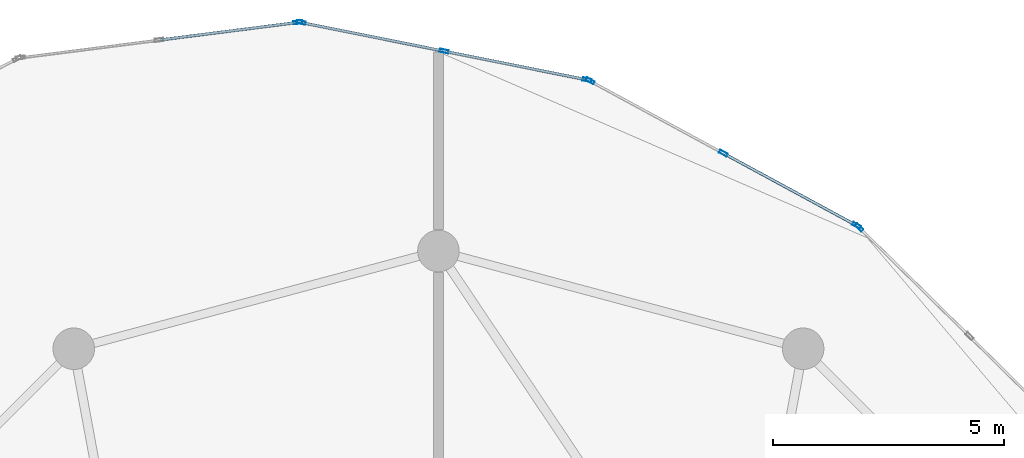
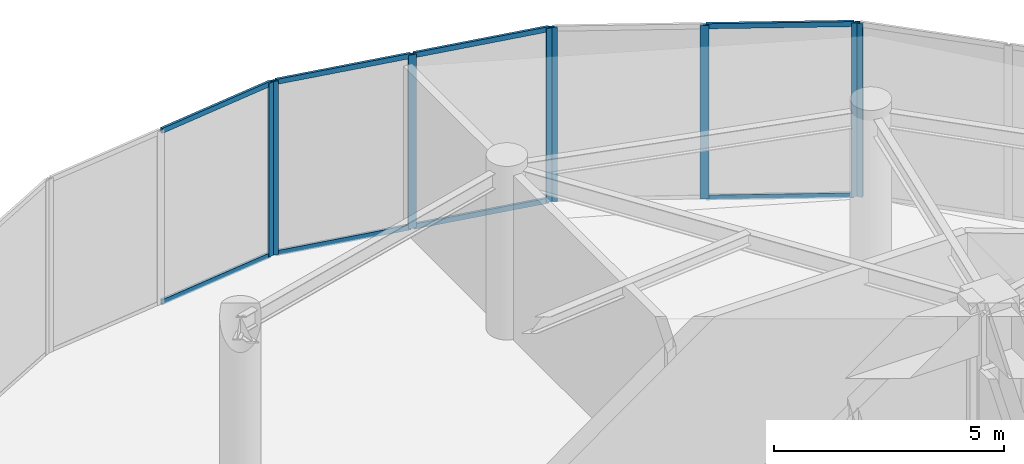
# One storey, part 16 of 23: 16 members, 4 elements without a shape of their own.
"""IFC4 building model written with IfcOpenShell, lengths in metres."""

import ifcopenshell
import ifcopenshell.guid

model = None  # the IFC model being written
_history = None  # IfcOwnerHistory: only IFC2X3 demands one
_inside = {}  # id of a spatial element -> (the spatial element, [elements in it])
_under = {}  # id of a project, library or spatial element -> (it, [spatial elements below it])
_declared = {}  # id of a project -> (the project, [libraries it declares])
_typed = {}  # id of a type object -> (the type object, [elements of that type])
_made_of = {}  # id of a material, layer set ... -> (it, [elements and type objects made of it])


def new_model(schema):
    """Start an empty IFC model of exactly this schema.

    Asked for "IFC4X3", IfcOpenShell would pick the latest addendum, in which some entities
    have other attributes; the version numbers below select the first issue.
    IFC2X3 requires an IfcOwnerHistory on every rooted entity: one is made here for all.
    """
    global model, _history
    if schema == "IFC4X3":
        model = ifcopenshell.file(schema_version=(4, 3, 0, 0))
    else:
        model = ifcopenshell.file(schema=schema)
    _inside.clear()
    _under.clear()
    _declared.clear()
    _typed.clear()
    _made_of.clear()
    _history = None
    if model.schema == "IFC2X3":
        org = make("IfcOrganization", Name="unknown")
        user = make(
            "IfcPersonAndOrganization",
            ThePerson=make("IfcPerson", FamilyName="unknown"),
            TheOrganization=org,
        )
        app = make(
            "IfcApplication",
            ApplicationDeveloper=org,
            Version="unknown",
            ApplicationFullName="unknown",
            ApplicationIdentifier="unknown",
        )
        _history = make(
            "IfcOwnerHistory",
            OwningUser=user,
            OwningApplication=app,
            ChangeAction="ADDED",
            CreationDate=0,
        )
    return model


def make(cls, **values):
    """One entity of the class cls with the attributes given. An attribute that is None is left unset."""
    return model.create_entity(
        cls, **{name: value for name, value in values.items() if value is not None}
    )


def rooted(cls, **values):
    """An entity with a GlobalId (a new one), such as an element, a storey or a relation."""
    return make(cls, GlobalId=ifcopenshell.guid.new(), OwnerHistory=_history, **values)


def si_unit(unit_type, name, prefix=None):
    """IfcSIUnit, for example si_unit("LENGTHUNIT", "METRE", prefix="MILLI")."""
    return make("IfcSIUnit", UnitType=unit_type, Prefix=prefix, Name=name)


def assignment(units):
    """IfcUnitAssignment: the units of a project."""
    return None if units is None else make("IfcUnitAssignment", Units=units)


def point(xyz):
    """IfcCartesianPoint."""
    return None if xyz is None else make("IfcCartesianPoint", Coordinates=xyz)


def direction(xyz):
    """IfcDirection."""
    return None if xyz is None else make("IfcDirection", DirectionRatios=xyz)


def frame(location, z_axis=None, x_axis=None):
    """IfcAxis2Placement3D, a coordinate frame: its origin and axes. An axis left out is left unset."""
    return make(
        "IfcAxis2Placement3D",
        Location=point(location),
        Axis=direction(z_axis),
        RefDirection=direction(x_axis),
    )


def frame_2d(location, x_axis=None):
    """IfcAxis2Placement2D, a coordinate frame in the plane: its origin and x axis."""
    return make(
        "IfcAxis2Placement2D", Location=point(location), RefDirection=direction(x_axis)
    )


def origin():
    """The frame at (0, 0, 0) with its axes left unset."""
    return frame((0.0, 0.0, 0.0))


def origin_2d():
    """The frame at (0, 0) in the plane with its x axis left unset."""
    return frame_2d((0.0, 0.0))


def place(relative_to, where):
    """IfcLocalPlacement: puts the frame where relative to a parent placement (None: the world)."""
    return make(
        "IfcLocalPlacement", PlacementRelTo=relative_to, RelativePlacement=where
    )


def context(
    kind, dimensions, precision=None, world=None, true_north=None, identifier=None
):
    """IfcGeometricRepresentationContext, for example the 3D "Model" context."""
    return make(
        "IfcGeometricRepresentationContext",
        ContextIdentifier=identifier,
        ContextType=kind,
        CoordinateSpaceDimension=dimensions,
        Precision=precision,
        WorldCoordinateSystem=world,
        TrueNorth=true_north,
    )


def subcontext(parent, identifier, kind, view, scale=None):
    """IfcGeometricRepresentationSubContext, for example "Body" below "Model"."""
    return make(
        "IfcGeometricRepresentationSubContext",
        ContextIdentifier=identifier,
        ContextType=kind,
        ParentContext=parent,
        TargetScale=scale,
        TargetView=view,
    )


def project(units=None, contexts=None):
    """IfcProject with its units and contexts."""
    return rooted(
        "IfcProject",
        Name="project",
        RepresentationContexts=contexts,
        UnitsInContext=assignment(units),
    )


def spatial(cls, under=None, at=None, **own):
    """A site, building, storey or space (cls), placed at a placement, below another one or the project."""
    s = rooted(cls, ObjectPlacement=at, **own)
    if under is not None:
        _under.setdefault(under.id(), (under, []))[1].append(s)
    return s


def profile(cls, at=None, kind="AREA", **sizes):
    """A parametric profile (cls). Its sizes go by their IFC names, for example OverallWidth=200.0."""
    return make(cls, ProfileType=kind, Position=at, **sizes)


def hollow_rectangle(**sizes):
    """IfcRectangleHollowProfileDef."""
    return profile("IfcRectangleHollowProfileDef", **sizes)


def extrude(swept, where, along, depth):
    """IfcExtrudedAreaSolid: the profile swept, set in the frame where, extruded along a direction by depth."""
    return make(
        "IfcExtrudedAreaSolid",
        SweptArea=swept,
        Position=where,
        ExtrudedDirection=direction(along),
        Depth=depth,
    )


def shape(context_of_items, identifier, shape_type, items):
    """IfcShapeRepresentation: the items that make up one representation, for example the "Body"."""
    return make(
        "IfcShapeRepresentation",
        ContextOfItems=context_of_items,
        RepresentationIdentifier=identifier,
        RepresentationType=shape_type,
        Items=items,
    )


def source(mapping_origin, context_of_items, identifier, shape_type, items):
    """IfcRepresentationMap: a shape defined once, which mapped items show again and again."""
    return make(
        "IfcRepresentationMap",
        MappingOrigin=mapping_origin,
        MappedRepresentation=shape(context_of_items, identifier, shape_type, items),
    )


def transform(
    local_origin,
    x_axis=None,
    y_axis=None,
    z_axis=None,
    scale=None,
    scale2=None,
    scale3=None,
    uniform=True,
):
    """IfcCartesianTransformationOperator3D, or its non-uniform kind. x_axis, y_axis, z_axis: its Axis1, 2, 3."""
    if uniform:
        return make(
            "IfcCartesianTransformationOperator3D",
            Axis1=direction(x_axis),
            Axis2=direction(y_axis),
            LocalOrigin=point(local_origin),
            Scale=scale,
            Axis3=direction(z_axis),
        )
    return make(
        "IfcCartesianTransformationOperator3DnonUniform",
        Axis1=direction(x_axis),
        Axis2=direction(y_axis),
        LocalOrigin=point(local_origin),
        Scale=scale,
        Axis3=direction(z_axis),
        Scale2=scale2,
        Scale3=scale3,
    )


def mapped(mapping_source, mapping_target):
    """IfcMappedItem: shows the shape of a source again, moved by a transform."""
    return make(
        "IfcMappedItem", MappingSource=mapping_source, MappingTarget=mapping_target
    )


def material(Name=None, Category=None):
    """IfcMaterial."""
    return make("IfcMaterial", Name=Name, Category=Category)


def layer(
    of_material, thickness, ventilated=None, Name=None, Category=None, Priority=None
):
    """IfcMaterialLayer: one layer of a wall or slab, of a material (None: an air gap)."""
    return make(
        "IfcMaterialLayer",
        Material=of_material,
        LayerThickness=thickness,
        IsVentilated=ventilated,
        Name=Name,
        Category=Category,
        Priority=Priority,
    )


def layer_set(layers, Name=None):
    """IfcMaterialLayerSet."""
    return make("IfcMaterialLayerSet", MaterialLayers=layers, LayerSetName=Name)


def material_profile(
    of_material, cross_section, Name=None, Category=None, Priority=None
):
    """IfcMaterialProfile: a cross section and its material."""
    return make(
        "IfcMaterialProfile",
        Name=Name,
        Material=of_material,
        Profile=cross_section,
        Priority=Priority,
        Category=Category,
    )


def profile_set(profiles, Name=None, composite=None):
    """IfcMaterialProfileSet."""
    return make(
        "IfcMaterialProfileSet",
        Name=Name,
        MaterialProfiles=profiles,
        CompositeProfile=composite,
    )


def made_of(thing, what):
    """Note that an element or type object is made of a material, layer set ...; save() writes the relation."""
    if what is not None:
        _made_of.setdefault(what.id(), (what, []))[1].append(thing)
    return thing


def type_object(cls, material=None, **own):
    """A type object (cls), such as IfcWallType, which elements share."""
    return made_of(rooted(cls, **own), material)


def element(
    cls,
    number,
    at=None,
    inside=None,
    cuts=None,
    type_object=None,
    material=None,
    context=None,
    identifier="Body",
    shape_type=None,
    held_by="IfcProductDefinitionShape",
    body=None,
    shapes=None,
    **own,
):
    """One element of the class cls, such as IfcWall. Its Tag is "e" and its number.

    at: its placement. inside: the storey or other place that contains it. cuts: it is an
    opening in that element (IfcRelVoidsElement). A single representation is given by context,
    identifier, shape_type and body (its items); several are given by shapes. held_by: the class
    of the entity that holds the representations. save() writes the other relations.
    """
    e = rooted(cls, Tag="e%d" % number, ObjectPlacement=at, **own)
    if body is not None:
        shapes = [shape(context, identifier, shape_type, body)]
    if shapes is not None:
        e.Representation = make(held_by, Representations=shapes)
    if inside is not None:
        _inside.setdefault(inside.id(), (inside, []))[1].append(e)
    if cuts is not None:
        rooted(
            "IfcRelVoidsElement", RelatingBuildingElement=cuts, RelatedOpeningElement=e
        )
    if type_object is not None:
        _typed.setdefault(type_object.id(), (type_object, []))[1].append(e)
    return made_of(e, material)


def aggregate(whole, parts):
    """IfcRelAggregates: a whole, such as a stair, and the parts it consists of."""
    return rooted("IfcRelAggregates", RelatingObject=whole, RelatedObjects=parts)


def save(model, path):
    """Write the relations noted so far, then the file.

    IfcRelAggregates (storeys below a building ...), IfcRelContainedInSpatialStructure (elements
    in a storey), IfcRelDefinesByType, IfcRelAssociatesMaterial and IfcRelDeclares: one each for
    every whole, place, type object, material and project.
    """
    for whole, parts in _under.values():
        aggregate(whole, parts)
    for where, things in _inside.values():
        rooted(
            "IfcRelContainedInSpatialStructure",
            RelatedElements=things,
            RelatingStructure=where,
        )
    for kind, things in _typed.values():
        rooted("IfcRelDefinesByType", RelatedObjects=things, RelatingType=kind)
    for what, things in _made_of.values():
        rooted("IfcRelAssociatesMaterial", RelatedObjects=things, RelatingMaterial=what)
    for by, libraries in _declared.values():
        rooted("IfcRelDeclares", RelatingContext=by, RelatedDefinitions=libraries)
    model.write(path)


model = new_model("IFC4")

# Units and contexts
model_context = context("Model", 3, precision=1e-05, world=origin(), true_north=direction((0.0, 1.0)))
body_context = subcontext(model_context, "Body", "Model", "MODEL_VIEW")
ifc_project = project(units=[si_unit("LENGTHUNIT", "METRE"), si_unit("AREAUNIT", "SQUARE_METRE"), si_unit("VOLUMEUNIT", "CUBIC_METRE"), si_unit("PLANEANGLEUNIT", "RADIAN"), si_unit("MASSUNIT", "GRAM", prefix="KILO")], contexts=[model_context])

# Site, building, storey
site_placement = place(None, origin())
site = spatial("IfcSite", under=ifc_project, at=site_placement, CompositionType="ELEMENT")
building_placement = place(site_placement, origin())
building = spatial("IfcBuilding", under=site, at=building_placement, Name="Solvirekh Grand Hotel", CompositionType="ELEMENT")
storey_placement = place(building_placement, frame((0.0, 0.0, 168.60009765625)))
storey = spatial("IfcBuildingStorey", under=building, at=storey_placement, Name="L43", CompositionType="ELEMENT", Elevation=168.60009765625)

# Curtain wall, member
ifc_material = material(Name="Anodized Bronze Aluminium 6063-T6", Category="aluminium")
ifc_layer = layer(ifc_material, 0.18994140625)
ifc_layer_set = layer_set([ifc_layer], Name="Anodized Bronze Aluminium 6063-T6")
curtain_wall_type = type_object("IfcCurtainWallType", Name="CW_Sys5_SkyLobbyPanoramaCW", PredefinedType="NOTDEFINED", material=ifc_layer_set)
curtain_wall_1_placement = place(storey_placement, origin())
curtain_wall_1 = element("IfcCurtainWall", 1, at=curtain_wall_1_placement, inside=storey, type_object=curtain_wall_type, Name="L43 unitised bronze-glass curtain wall CW-L43-C06", PredefinedType="NOTDEFINED")
ifc_material_profile_1 = material_profile(ifc_material, hollow_rectangle(XDim=0.070068359375, YDim=0.18994140625, WallThickness=0.0048828125, at=origin_2d()), Name="ALU RHS 190X70X5")
ifc_profile_set_1 = profile_set([ifc_material_profile_1], Name="Anodized Bronze Aluminium 6063-T6")
member_type_1 = type_object("IfcMemberType", Name="CWMullion_Sys5", PredefinedType="MULLION", material=ifc_profile_set_1)
shared_shape_1 = source(origin(), body_context, "Body", "SweptSolid", [
    extrude(hollow_rectangle(XDim=0.070068359375, YDim=0.18994140625, WallThickness=0.0048828125, at=origin_2d()), origin(), (0.0, 0.0, 1.0), 4.599853515625),
])
member_1_placement = place(storey_placement, frame((9.114013671875, 16.3115234375, 0.0), z_axis=(0.0, 0.0, 1.0), x_axis=(-0.702152075347, -0.712027010082, 0.0)))
member_1 = element("IfcMember", 2, at=member_1_placement, type_object=member_type_1, Name="U05 mullion 3", PredefinedType="MULLION", context=body_context, shape_type="MappedRepresentation", body=[
    mapped(shared_shape_1, transform((0.0, 0.0, 0.0), x_axis=(1.0, 0.0, 0.0), y_axis=(0.0, 1.0, 0.0), z_axis=(0.0, 0.0, 1.0), scale=1.0)),
])
aggregate(curtain_wall_1, [member_1])

# Curtain wall, members
curtain_wall_2_placement = place(storey_placement, origin())
curtain_wall_2 = element("IfcCurtainWall", 3, at=curtain_wall_2_placement, inside=storey, type_object=curtain_wall_type, Name="L43 unitised bronze-glass curtain wall CW-L43-C07", PredefinedType="NOTDEFINED")
member_2_placement = place(storey_placement, frame((9.058349609375, 16.352783203125, 0.0), z_axis=(0.0, 0.0, 1.0), x_axis=(-0.476855778012, -0.878981550988, 0.0)))
member_2 = element("IfcMember", 4, at=member_2_placement, type_object=member_type_1, Name="U05 mullion 1", PredefinedType="MULLION", context=body_context, shape_type="MappedRepresentation", body=[
    mapped(shared_shape_1, transform((0.0, 0.0, 0.0), x_axis=(1.0, 0.0, 0.0), y_axis=(0.0, 1.0, 0.0), z_axis=(0.0, 0.0, 1.0), scale=1.0)),
])
member_3_placement = place(storey_placement, frame((6.172119140625, 17.91845703125, 0.0), z_axis=(0.0, 0.0, 1.0), x_axis=(-0.476855778012, -0.878981550988, 0.0)))
member_3 = element("IfcMember", 5, at=member_3_placement, type_object=member_type_1, Name="U05 mullion 2", PredefinedType="MULLION", context=body_context, shape_type="MappedRepresentation", body=[
    mapped(shared_shape_1, transform((0.0, 0.0, 0.0), x_axis=(1.0, 0.0, 0.0), y_axis=(0.0, 1.0, 0.0), z_axis=(0.0, 0.0, 1.0), scale=1.0)),
])
member_4_placement = place(storey_placement, frame((3.28564453125, 19.484375, 0.0), z_axis=(0.0, 0.0, 1.0), x_axis=(-0.476855778012, -0.878981550988, 0.0)))
member_4 = element("IfcMember", 6, at=member_4_placement, type_object=member_type_1, Name="U05 mullion 3", PredefinedType="MULLION", context=body_context, shape_type="MappedRepresentation", body=[
    mapped(shared_shape_1, transform((0.0, 0.0, 0.0), x_axis=(1.0, 0.0, 0.0), y_axis=(0.0, 1.0, 0.0), z_axis=(0.0, 0.0, 1.0), scale=1.0)),
])

curtain_wall_3_placement = place(storey_placement, origin())
curtain_wall_3 = element("IfcCurtainWall", 7, at=curtain_wall_3_placement, inside=storey, type_object=curtain_wall_type, Name="L43 unitised bronze-glass curtain wall CW-L43-C08", PredefinedType="NOTDEFINED")
member_5_placement = place(storey_placement, frame((3.220703125, 19.5078125, 0.0), z_axis=(0.0, 0.0, 1.0), x_axis=(-0.196748202622, -0.980454050308, 0.0)))
member_5 = element("IfcMember", 8, at=member_5_placement, type_object=member_type_1, Name="U05 mullion 1", PredefinedType="MULLION", context=body_context, shape_type="MappedRepresentation", body=[
    mapped(shared_shape_1, transform((0.0, 0.0, 0.0), x_axis=(1.0, 0.0, 0.0), y_axis=(0.0, 1.0, 0.0), z_axis=(0.0, 0.0, 1.0), scale=1.0)),
])
member_6_placement = place(storey_placement, frame((0.123046875, 20.12939453125, 0.0), z_axis=(0.0, 0.0, 1.0), x_axis=(-0.196748202622, -0.980454050308, 0.0)))
member_6 = element("IfcMember", 9, at=member_6_placement, type_object=member_type_1, Name="U05 mullion 2", PredefinedType="MULLION", context=body_context, shape_type="MappedRepresentation", body=[
    mapped(shared_shape_1, transform((0.0, 0.0, 0.0), x_axis=(1.0, 0.0, 0.0), y_axis=(0.0, 1.0, 0.0), z_axis=(0.0, 0.0, 1.0), scale=1.0)),
])
member_7_placement = place(storey_placement, frame((-2.974609375, 20.751220703125, 0.0), z_axis=(0.0, 0.0, 1.0), x_axis=(-0.196748202622, -0.980454050308, 0.0)))
member_7 = element("IfcMember", 10, at=member_7_placement, type_object=member_type_1, Name="U05 mullion 3", PredefinedType="MULLION", context=body_context, shape_type="MappedRepresentation", body=[
    mapped(shared_shape_1, transform((0.0, 0.0, 0.0), x_axis=(1.0, 0.0, 0.0), y_axis=(0.0, 1.0, 0.0), z_axis=(0.0, 0.0, 1.0), scale=1.0)),
])

curtain_wall_4_placement = place(storey_placement, origin())
curtain_wall_4 = element("IfcCurtainWall", 11, at=curtain_wall_4_placement, inside=storey, type_object=curtain_wall_type, Name="L43 unitised bronze-glass curtain wall CW-L43-C09", PredefinedType="NOTDEFINED")
member_8_placement = place(storey_placement, frame((-3.043701171875, 20.753662109375, 0.0), z_axis=(0.0, 0.0, 1.0), x_axis=(0.12656359623, -0.991958495155, 0.0)))
member_8 = element("IfcMember", 12, at=member_8_placement, type_object=member_type_1, Name="U05 mullion 1", PredefinedType="MULLION", context=body_context, shape_type="MappedRepresentation", body=[
    mapped(shared_shape_1, transform((0.0, 0.0, 0.0), x_axis=(1.0, 0.0, 0.0), y_axis=(0.0, 1.0, 0.0), z_axis=(0.0, 0.0, 1.0), scale=1.0)),
])
ifc_material_profile_2 = material_profile(ifc_material, hollow_rectangle(XDim=0.06005859375, YDim=0.135009765625, WallThickness=0.00390625, at=origin_2d()), Name="ALU RHS 135X60X4")
ifc_profile_set_2 = profile_set([ifc_material_profile_2], Name="Anodized Bronze Aluminium 6063-T6")
member_type_2 = type_object("IfcMemberType", Name="CWTransom_Sys5", PredefinedType="USERDEFINED", material=ifc_profile_set_2)
shared_shape_2 = source(origin(), body_context, "Body", "SweptSolid", [
    extrude(hollow_rectangle(XDim=0.06005859375, YDim=0.135009765625, WallThickness=0.00390625, at=origin_2d()), origin(), (0.0, 0.0, 1.0), 2.960693359375),
])
member_9_placement = place(storey_placement, frame((-3.078369140625, 20.7490234375, 0.02978515625), z_axis=(-0.991967840443, -0.126490329779, 0.0), x_axis=(0.126490329779, -0.991967840443, 0.0)))
member_9 = element("IfcMember", 13, at=member_9_placement, type_object=member_type_2, Name="U05 transom 1.1", ObjectType="TRANSOM", PredefinedType="USERDEFINED", context=body_context, shape_type="MappedRepresentation", body=[
    mapped(shared_shape_2, transform((0.0, 0.0, 0.0), x_axis=(1.0, 0.0, 0.0), y_axis=(0.0, 1.0, 0.0), z_axis=(0.0, 0.0, 1.0), scale=1.0)),
])
member_10_placement = place(storey_placement, frame((-3.078369140625, 20.7490234375, 4.56982421875), z_axis=(-0.991967840443, -0.126490329779, 0.0), x_axis=(0.126490329779, -0.991967840443, 0.0)))
member_10 = element("IfcMember", 14, at=member_10_placement, type_object=member_type_2, Name="U05 transom 1.2", ObjectType="TRANSOM", PredefinedType="USERDEFINED", context=body_context, shape_type="MappedRepresentation", body=[
    mapped(shared_shape_2, transform((0.0, 0.0, 0.0), x_axis=(1.0, 0.0, 0.0), y_axis=(0.0, 1.0, 0.0), z_axis=(0.0, 0.0, 1.0), scale=1.0)),
])
aggregate(curtain_wall_4, [member_8, member_9, member_10])

# Member
shared_shape_3 = source(origin(), body_context, "Body", "SweptSolid", [
    extrude(hollow_rectangle(XDim=0.06005859375, YDim=0.135009765625, WallThickness=0.00390625, at=origin_2d()), origin(), (0.0, 0.0, 1.0), 3.213623046875),
])
member_11_placement = place(storey_placement, frame((9.027587890625, 16.369384765625, 0.02978515625), z_axis=(-0.878976267463, 0.476865516929, 0.0), x_axis=(-0.476865516929, -0.878976267463, 0.0)))
member_11 = element("IfcMember", 15, at=member_11_placement, type_object=member_type_2, Name="U05 transom 1.1", ObjectType="TRANSOM", PredefinedType="USERDEFINED", context=body_context, shape_type="MappedRepresentation", body=[
    mapped(shared_shape_3, transform((0.0, 0.0, 0.0), x_axis=(1.0, 0.0, 0.0), y_axis=(0.0, 1.0, 0.0), z_axis=(0.0, 0.0, 1.0), scale=1.0)),
])

member_12_placement = place(storey_placement, frame((9.027587890625, 16.369384765625, 4.56982421875), z_axis=(-0.878976267463, 0.476865516929, 0.0), x_axis=(-0.476865516929, -0.878976267463, 0.0)))
member_12 = element("IfcMember", 16, at=member_12_placement, type_object=member_type_2, Name="U05 transom 1.2", ObjectType="TRANSOM", PredefinedType="USERDEFINED", context=body_context, shape_type="MappedRepresentation", body=[
    mapped(shared_shape_3, transform((0.0, 0.0, 0.0), x_axis=(1.0, 0.0, 0.0), y_axis=(0.0, 1.0, 0.0), z_axis=(0.0, 0.0, 1.0), scale=1.0)),
])

aggregate(curtain_wall_2, [member_2, member_3, member_4, member_11, member_12])

shared_shape_4 = source(origin(), body_context, "Body", "SweptSolid", [
    extrude(hollow_rectangle(XDim=0.06005859375, YDim=0.135009765625, WallThickness=0.00390625, at=origin_2d()), origin(), (0.0, 0.0, 1.0), 3.08935546875),
])
member_13_placement = place(storey_placement, frame((3.186279296875, 19.514892578125, 0.02978515625), z_axis=(-0.980465007348, 0.196693592592, 0.0), x_axis=(-0.196693592592, -0.980465007348, 0.0)))
member_13 = element("IfcMember", 17, at=member_13_placement, type_object=member_type_2, Name="U05 transom 1.1", ObjectType="TRANSOM", PredefinedType="USERDEFINED", context=body_context, shape_type="MappedRepresentation", body=[
    mapped(shared_shape_4, transform((0.0, 0.0, 0.0), x_axis=(1.0, 0.0, 0.0), y_axis=(0.0, 1.0, 0.0), z_axis=(0.0, 0.0, 1.0), scale=1.0)),
])

member_14_placement = place(storey_placement, frame((3.186279296875, 19.514892578125, 4.56982421875), z_axis=(-0.980465007348, 0.196693592592, 0.0), x_axis=(-0.196693592592, -0.980465007348, 0.0)))
member_14 = element("IfcMember", 18, at=member_14_placement, type_object=member_type_2, Name="U05 transom 1.2", ObjectType="TRANSOM", PredefinedType="USERDEFINED", context=body_context, shape_type="MappedRepresentation", body=[
    mapped(shared_shape_4, transform((0.0, 0.0, 0.0), x_axis=(1.0, 0.0, 0.0), y_axis=(0.0, 1.0, 0.0), z_axis=(0.0, 0.0, 1.0), scale=1.0)),
])

member_15_placement = place(storey_placement, frame((0.088623046875, 20.136474609375, 0.02978515625), z_axis=(-0.980465007348, 0.196693592592, 0.0), x_axis=(-0.196693592592, -0.980465007348, 0.0)))
member_15 = element("IfcMember", 19, at=member_15_placement, type_object=member_type_2, Name="U05 transom 2.1", ObjectType="TRANSOM", PredefinedType="USERDEFINED", context=body_context, shape_type="MappedRepresentation", body=[
    mapped(shared_shape_4, transform((0.0, 0.0, 0.0), x_axis=(1.0, 0.0, 0.0), y_axis=(0.0, 1.0, 0.0), z_axis=(0.0, 0.0, 1.0), scale=1.0)),
])

member_16_placement = place(storey_placement, frame((0.088623046875, 20.136474609375, 4.56982421875), z_axis=(-0.980465007348, 0.196693592592, 0.0), x_axis=(-0.196693592592, -0.980465007348, 0.0)))
member_16 = element("IfcMember", 20, at=member_16_placement, type_object=member_type_2, Name="U05 transom 2.2", ObjectType="TRANSOM", PredefinedType="USERDEFINED", context=body_context, shape_type="MappedRepresentation", body=[
    mapped(shared_shape_4, transform((0.0, 0.0, 0.0), x_axis=(1.0, 0.0, 0.0), y_axis=(0.0, 1.0, 0.0), z_axis=(0.0, 0.0, 1.0), scale=1.0)),
])

aggregate(curtain_wall_3, [member_5, member_6, member_7, member_13, member_14, member_15, member_16])

save(model, "model.ifc")
